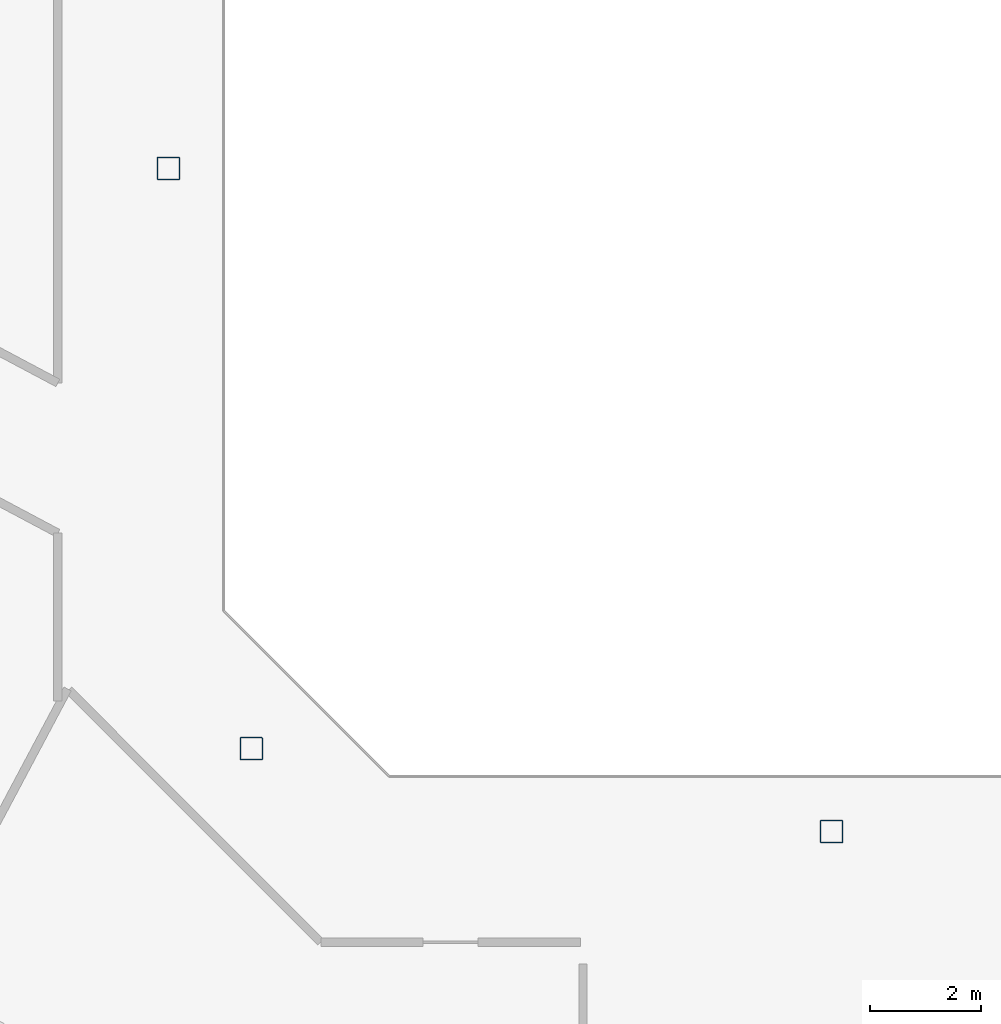
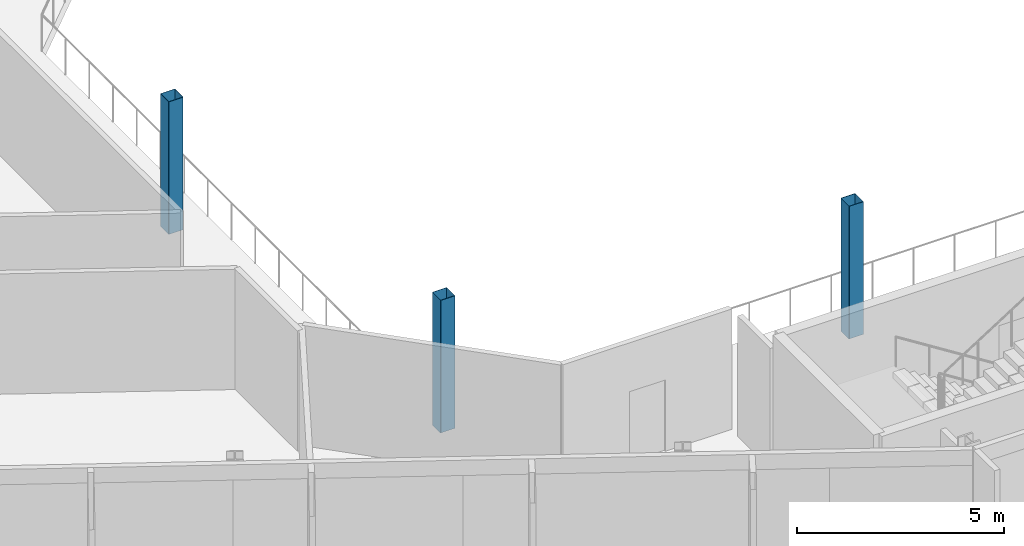
# One storey, part 2 of 26: 3 columns.
"""IFC4 building model written with IfcOpenShell, lengths in metres."""

import ifcopenshell
import ifcopenshell.guid

model = None  # the IFC model being written
_history = None  # IfcOwnerHistory: only IFC2X3 demands one
_inside = {}  # id of a spatial element -> (the spatial element, [elements in it])
_under = {}  # id of a project, library or spatial element -> (it, [spatial elements below it])
_declared = {}  # id of a project -> (the project, [libraries it declares])
_typed = {}  # id of a type object -> (the type object, [elements of that type])
_made_of = {}  # id of a material, layer set ... -> (it, [elements and type objects made of it])


def new_model(schema):
    """Start an empty IFC model of exactly this schema.

    Asked for "IFC4X3", IfcOpenShell would pick the latest addendum, in which some entities
    have other attributes; the version numbers below select the first issue.
    IFC2X3 requires an IfcOwnerHistory on every rooted entity: one is made here for all.
    """
    global model, _history
    if schema == "IFC4X3":
        model = ifcopenshell.file(schema_version=(4, 3, 0, 0))
    else:
        model = ifcopenshell.file(schema=schema)
    _inside.clear()
    _under.clear()
    _declared.clear()
    _typed.clear()
    _made_of.clear()
    _history = None
    if model.schema == "IFC2X3":
        org = make("IfcOrganization", Name="unknown")
        user = make(
            "IfcPersonAndOrganization",
            ThePerson=make("IfcPerson", FamilyName="unknown"),
            TheOrganization=org,
        )
        app = make(
            "IfcApplication",
            ApplicationDeveloper=org,
            Version="unknown",
            ApplicationFullName="unknown",
            ApplicationIdentifier="unknown",
        )
        _history = make(
            "IfcOwnerHistory",
            OwningUser=user,
            OwningApplication=app,
            ChangeAction="ADDED",
            CreationDate=0,
        )
    return model


def make(cls, **values):
    """One entity of the class cls with the attributes given. An attribute that is None is left unset."""
    return model.create_entity(
        cls, **{name: value for name, value in values.items() if value is not None}
    )


def rooted(cls, **values):
    """An entity with a GlobalId (a new one), such as an element, a storey or a relation."""
    return make(cls, GlobalId=ifcopenshell.guid.new(), OwnerHistory=_history, **values)


def si_unit(unit_type, name, prefix=None):
    """IfcSIUnit, for example si_unit("LENGTHUNIT", "METRE", prefix="MILLI")."""
    return make("IfcSIUnit", UnitType=unit_type, Prefix=prefix, Name=name)


def assignment(units):
    """IfcUnitAssignment: the units of a project."""
    return None if units is None else make("IfcUnitAssignment", Units=units)


def point(xyz):
    """IfcCartesianPoint."""
    return None if xyz is None else make("IfcCartesianPoint", Coordinates=xyz)


def direction(xyz):
    """IfcDirection."""
    return None if xyz is None else make("IfcDirection", DirectionRatios=xyz)


def frame(location, z_axis=None, x_axis=None):
    """IfcAxis2Placement3D, a coordinate frame: its origin and axes. An axis left out is left unset."""
    return make(
        "IfcAxis2Placement3D",
        Location=point(location),
        Axis=direction(z_axis),
        RefDirection=direction(x_axis),
    )


def frame_2d(location, x_axis=None):
    """IfcAxis2Placement2D, a coordinate frame in the plane: its origin and x axis."""
    return make(
        "IfcAxis2Placement2D", Location=point(location), RefDirection=direction(x_axis)
    )


def origin():
    """The frame at (0, 0, 0) with its axes left unset."""
    return frame((0.0, 0.0, 0.0))


def origin_2d():
    """The frame at (0, 0) in the plane with its x axis left unset."""
    return frame_2d((0.0, 0.0))


def place(relative_to, where):
    """IfcLocalPlacement: puts the frame where relative to a parent placement (None: the world)."""
    return make(
        "IfcLocalPlacement", PlacementRelTo=relative_to, RelativePlacement=where
    )


def context(
    kind, dimensions, precision=None, world=None, true_north=None, identifier=None
):
    """IfcGeometricRepresentationContext, for example the 3D "Model" context."""
    return make(
        "IfcGeometricRepresentationContext",
        ContextIdentifier=identifier,
        ContextType=kind,
        CoordinateSpaceDimension=dimensions,
        Precision=precision,
        WorldCoordinateSystem=world,
        TrueNorth=true_north,
    )


def subcontext(parent, identifier, kind, view, scale=None):
    """IfcGeometricRepresentationSubContext, for example "Body" below "Model"."""
    return make(
        "IfcGeometricRepresentationSubContext",
        ContextIdentifier=identifier,
        ContextType=kind,
        ParentContext=parent,
        TargetScale=scale,
        TargetView=view,
    )


def project(units=None, contexts=None):
    """IfcProject with its units and contexts."""
    return rooted(
        "IfcProject",
        Name="project",
        RepresentationContexts=contexts,
        UnitsInContext=assignment(units),
    )


def spatial(cls, under=None, at=None, **own):
    """A site, building, storey or space (cls), placed at a placement, below another one or the project."""
    s = rooted(cls, ObjectPlacement=at, **own)
    if under is not None:
        _under.setdefault(under.id(), (under, []))[1].append(s)
    return s


def profile(cls, at=None, kind="AREA", **sizes):
    """A parametric profile (cls). Its sizes go by their IFC names, for example OverallWidth=200.0."""
    return make(cls, ProfileType=kind, Position=at, **sizes)


def hollow_rectangle(**sizes):
    """IfcRectangleHollowProfileDef."""
    return profile("IfcRectangleHollowProfileDef", **sizes)


def extrude(swept, where, along, depth):
    """IfcExtrudedAreaSolid: the profile swept, set in the frame where, extruded along a direction by depth."""
    return make(
        "IfcExtrudedAreaSolid",
        SweptArea=swept,
        Position=where,
        ExtrudedDirection=direction(along),
        Depth=depth,
    )


def shape(context_of_items, identifier, shape_type, items):
    """IfcShapeRepresentation: the items that make up one representation, for example the "Body"."""
    return make(
        "IfcShapeRepresentation",
        ContextOfItems=context_of_items,
        RepresentationIdentifier=identifier,
        RepresentationType=shape_type,
        Items=items,
    )


def material(Name=None, Category=None):
    """IfcMaterial."""
    return make("IfcMaterial", Name=Name, Category=Category)


def material_profile(
    of_material, cross_section, Name=None, Category=None, Priority=None
):
    """IfcMaterialProfile: a cross section and its material."""
    return make(
        "IfcMaterialProfile",
        Name=Name,
        Material=of_material,
        Profile=cross_section,
        Priority=Priority,
        Category=Category,
    )


def profile_set(profiles, Name=None, composite=None):
    """IfcMaterialProfileSet."""
    return make(
        "IfcMaterialProfileSet",
        Name=Name,
        MaterialProfiles=profiles,
        CompositeProfile=composite,
    )


def made_of(thing, what):
    """Note that an element or type object is made of a material, layer set ...; save() writes the relation."""
    if what is not None:
        _made_of.setdefault(what.id(), (what, []))[1].append(thing)
    return thing


def type_object(cls, material=None, **own):
    """A type object (cls), such as IfcWallType, which elements share."""
    return made_of(rooted(cls, **own), material)


def element(
    cls,
    number,
    at=None,
    inside=None,
    cuts=None,
    type_object=None,
    material=None,
    context=None,
    identifier="Body",
    shape_type=None,
    held_by="IfcProductDefinitionShape",
    body=None,
    shapes=None,
    **own,
):
    """One element of the class cls, such as IfcWall. Its Tag is "e" and its number.

    at: its placement. inside: the storey or other place that contains it. cuts: it is an
    opening in that element (IfcRelVoidsElement). A single representation is given by context,
    identifier, shape_type and body (its items); several are given by shapes. held_by: the class
    of the entity that holds the representations. save() writes the other relations.
    """
    e = rooted(cls, Tag="e%d" % number, ObjectPlacement=at, **own)
    if body is not None:
        shapes = [shape(context, identifier, shape_type, body)]
    if shapes is not None:
        e.Representation = make(held_by, Representations=shapes)
    if inside is not None:
        _inside.setdefault(inside.id(), (inside, []))[1].append(e)
    if cuts is not None:
        rooted(
            "IfcRelVoidsElement", RelatingBuildingElement=cuts, RelatedOpeningElement=e
        )
    if type_object is not None:
        _typed.setdefault(type_object.id(), (type_object, []))[1].append(e)
    return made_of(e, material)


def aggregate(whole, parts):
    """IfcRelAggregates: a whole, such as a stair, and the parts it consists of."""
    return rooted("IfcRelAggregates", RelatingObject=whole, RelatedObjects=parts)


def save(model, path):
    """Write the relations noted so far, then the file.

    IfcRelAggregates (storeys below a building ...), IfcRelContainedInSpatialStructure (elements
    in a storey), IfcRelDefinesByType, IfcRelAssociatesMaterial and IfcRelDeclares: one each for
    every whole, place, type object, material and project.
    """
    for whole, parts in _under.values():
        aggregate(whole, parts)
    for where, things in _inside.values():
        rooted(
            "IfcRelContainedInSpatialStructure",
            RelatedElements=things,
            RelatingStructure=where,
        )
    for kind, things in _typed.values():
        rooted("IfcRelDefinesByType", RelatedObjects=things, RelatingType=kind)
    for what, things in _made_of.values():
        rooted("IfcRelAssociatesMaterial", RelatedObjects=things, RelatingMaterial=what)
    for by, libraries in _declared.values():
        rooted("IfcRelDeclares", RelatingContext=by, RelatedDefinitions=libraries)
    model.write(path)


model = new_model("IFC4")

# Units and contexts
model_context = context("Model", 3, precision=1e-05, world=origin(), true_north=direction((0.0, 1.0)))
body_context = subcontext(model_context, "Body", "Model", "MODEL_VIEW")
ifc_project = project(units=[si_unit("LENGTHUNIT", "METRE"), si_unit("AREAUNIT", "SQUARE_METRE"), si_unit("VOLUMEUNIT", "CUBIC_METRE"), si_unit("PLANEANGLEUNIT", "RADIAN"), si_unit("MASSUNIT", "GRAM", prefix="KILO")], contexts=[model_context])

# Site, building, storey
site_placement = place(None, origin())
site = spatial("IfcSite", under=ifc_project, at=site_placement, CompositionType="ELEMENT")
building_placement = place(site_placement, origin())
building = spatial("IfcBuilding", under=site, at=building_placement, Name="Cormorant Relay Tower", CompositionType="ELEMENT")
storey_placement = place(building_placement, frame((0.0, 0.0, 269.699951171875)))
storey = spatial("IfcBuildingStorey", under=building, at=storey_placement, Name="L60", CompositionType="ELEMENT", Elevation=269.699951171875)

# Columns
ifc_material = material(Name="Steel ASTM A500 Grade C (Fy 345 MPa)", Category="steel")
ifc_material_profile = material_profile(ifc_material, hollow_rectangle(XDim=0.406494140625, YDim=0.406494140625, WallThickness=0.0087890625, InnerFilletRadius=0.00439453125, OuterFilletRadius=0.01318359375, at=origin_2d()), Name="HSS406x406x9")
ifc_profile_set = profile_set([ifc_material_profile], Name="Steel ASTM A500 Grade C (Fy 345 MPa)")
column_type = type_object("IfcColumnType", Name="Column HSS406x406x9", PredefinedType="COLUMN", material=ifc_profile_set)
for number, where, z_axis, x_axis, name in (
    (1, (0.0, -12.0, 0.0), (0.0, 0.0, 1.0), (1.0, 0.0, 0.0), "Column L60-007"),
    (2, (-10.5, -10.5, 0.0), (0.0, 0.0, 1.0), (1.0, 0.0, 0.0), "Column L60-009"),
    (3, (-12.0, 0.0, 0.0), (0.0, 0.0, 1.0), (1.0, 0.0, 0.0), "Column L60-015"),
):
    element("IfcColumn", number, at=place(storey_placement, frame(where, z_axis=z_axis, x_axis=x_axis)), inside=storey, type_object=column_type, Name=name, PredefinedType="COLUMN", context=body_context, shape_type="SweptSolid", body=[
        extrude(hollow_rectangle(XDim=0.406494140625, YDim=0.406494140625, WallThickness=0.0087890625, InnerFilletRadius=0.00439453125, OuterFilletRadius=0.01318359375, at=origin_2d()), origin(), (0.0, 0.0, 1.0), 3.900146484375),
    ])

save(model, "model.ifc")
